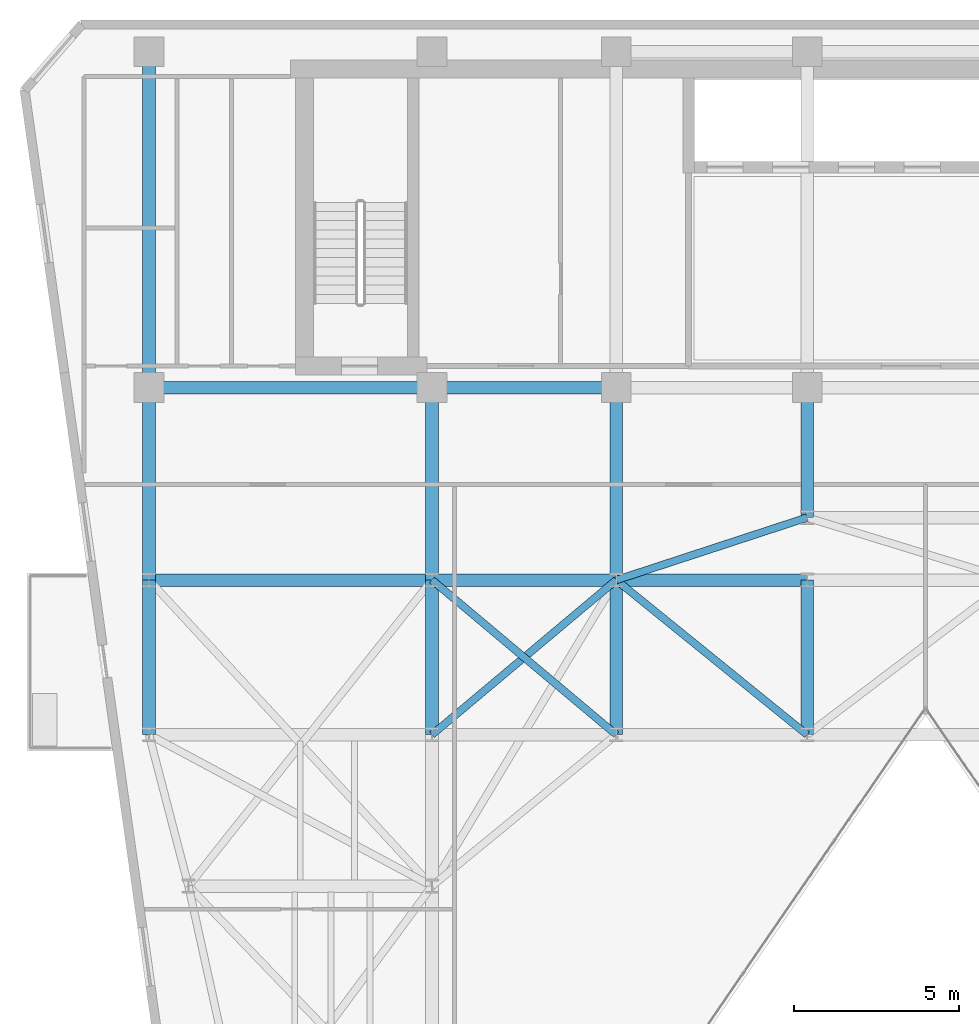
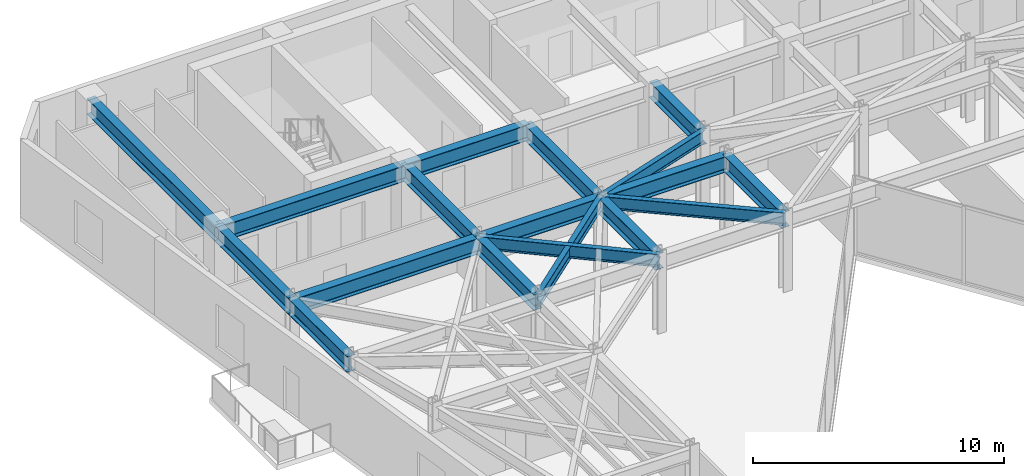
# One storey, part 7 of 21: 18 beams.
"""IFC4 building model written with IfcOpenShell, lengths in metres."""

import ifcopenshell
import ifcopenshell.guid

model = None  # the IFC model being written
_history = None  # IfcOwnerHistory: only IFC2X3 demands one
_inside = {}  # id of a spatial element -> (the spatial element, [elements in it])
_under = {}  # id of a project, library or spatial element -> (it, [spatial elements below it])
_declared = {}  # id of a project -> (the project, [libraries it declares])
_typed = {}  # id of a type object -> (the type object, [elements of that type])
_made_of = {}  # id of a material, layer set ... -> (it, [elements and type objects made of it])


def new_model(schema):
    """Start an empty IFC model of exactly this schema.

    Asked for "IFC4X3", IfcOpenShell would pick the latest addendum, in which some entities
    have other attributes; the version numbers below select the first issue.
    IFC2X3 requires an IfcOwnerHistory on every rooted entity: one is made here for all.
    """
    global model, _history
    if schema == "IFC4X3":
        model = ifcopenshell.file(schema_version=(4, 3, 0, 0))
    else:
        model = ifcopenshell.file(schema=schema)
    _inside.clear()
    _under.clear()
    _declared.clear()
    _typed.clear()
    _made_of.clear()
    _history = None
    if model.schema == "IFC2X3":
        org = make("IfcOrganization", Name="unknown")
        user = make(
            "IfcPersonAndOrganization",
            ThePerson=make("IfcPerson", FamilyName="unknown"),
            TheOrganization=org,
        )
        app = make(
            "IfcApplication",
            ApplicationDeveloper=org,
            Version="unknown",
            ApplicationFullName="unknown",
            ApplicationIdentifier="unknown",
        )
        _history = make(
            "IfcOwnerHistory",
            OwningUser=user,
            OwningApplication=app,
            ChangeAction="ADDED",
            CreationDate=0,
        )
    return model


def make(cls, **values):
    """One entity of the class cls with the attributes given. An attribute that is None is left unset."""
    return model.create_entity(
        cls, **{name: value for name, value in values.items() if value is not None}
    )


def rooted(cls, **values):
    """An entity with a GlobalId (a new one), such as an element, a storey or a relation."""
    return make(cls, GlobalId=ifcopenshell.guid.new(), OwnerHistory=_history, **values)


def si_unit(unit_type, name, prefix=None):
    """IfcSIUnit, for example si_unit("LENGTHUNIT", "METRE", prefix="MILLI")."""
    return make("IfcSIUnit", UnitType=unit_type, Prefix=prefix, Name=name)


def assignment(units):
    """IfcUnitAssignment: the units of a project."""
    return None if units is None else make("IfcUnitAssignment", Units=units)


def point(xyz):
    """IfcCartesianPoint."""
    return None if xyz is None else make("IfcCartesianPoint", Coordinates=xyz)


def direction(xyz):
    """IfcDirection."""
    return None if xyz is None else make("IfcDirection", DirectionRatios=xyz)


def frame(location, z_axis=None, x_axis=None):
    """IfcAxis2Placement3D, a coordinate frame: its origin and axes. An axis left out is left unset."""
    return make(
        "IfcAxis2Placement3D",
        Location=point(location),
        Axis=direction(z_axis),
        RefDirection=direction(x_axis),
    )


def frame_2d(location, x_axis=None):
    """IfcAxis2Placement2D, a coordinate frame in the plane: its origin and x axis."""
    return make(
        "IfcAxis2Placement2D", Location=point(location), RefDirection=direction(x_axis)
    )


def origin():
    """The frame at (0, 0, 0) with its axes left unset."""
    return frame((0.0, 0.0, 0.0))


def origin_2d():
    """The frame at (0, 0) in the plane with its x axis left unset."""
    return frame_2d((0.0, 0.0))


def place(relative_to, where):
    """IfcLocalPlacement: puts the frame where relative to a parent placement (None: the world)."""
    return make(
        "IfcLocalPlacement", PlacementRelTo=relative_to, RelativePlacement=where
    )


def context(
    kind, dimensions, precision=None, world=None, true_north=None, identifier=None
):
    """IfcGeometricRepresentationContext, for example the 3D "Model" context."""
    return make(
        "IfcGeometricRepresentationContext",
        ContextIdentifier=identifier,
        ContextType=kind,
        CoordinateSpaceDimension=dimensions,
        Precision=precision,
        WorldCoordinateSystem=world,
        TrueNorth=true_north,
    )


def subcontext(parent, identifier, kind, view, scale=None):
    """IfcGeometricRepresentationSubContext, for example "Body" below "Model"."""
    return make(
        "IfcGeometricRepresentationSubContext",
        ContextIdentifier=identifier,
        ContextType=kind,
        ParentContext=parent,
        TargetScale=scale,
        TargetView=view,
    )


def project(units=None, contexts=None):
    """IfcProject with its units and contexts."""
    return rooted(
        "IfcProject",
        Name="project",
        RepresentationContexts=contexts,
        UnitsInContext=assignment(units),
    )


def spatial(cls, under=None, at=None, **own):
    """A site, building, storey or space (cls), placed at a placement, below another one or the project."""
    s = rooted(cls, ObjectPlacement=at, **own)
    if under is not None:
        _under.setdefault(under.id(), (under, []))[1].append(s)
    return s


def profile(cls, at=None, kind="AREA", **sizes):
    """A parametric profile (cls). Its sizes go by their IFC names, for example OverallWidth=200.0."""
    return make(cls, ProfileType=kind, Position=at, **sizes)


def i_section(**sizes):
    """IfcIShapeProfileDef."""
    return profile("IfcIShapeProfileDef", **sizes)


def extrude(swept, where, along, depth):
    """IfcExtrudedAreaSolid: the profile swept, set in the frame where, extruded along a direction by depth."""
    return make(
        "IfcExtrudedAreaSolid",
        SweptArea=swept,
        Position=where,
        ExtrudedDirection=direction(along),
        Depth=depth,
    )


def shape(context_of_items, identifier, shape_type, items):
    """IfcShapeRepresentation: the items that make up one representation, for example the "Body"."""
    return make(
        "IfcShapeRepresentation",
        ContextOfItems=context_of_items,
        RepresentationIdentifier=identifier,
        RepresentationType=shape_type,
        Items=items,
    )


def material(Name=None, Category=None):
    """IfcMaterial."""
    return make("IfcMaterial", Name=Name, Category=Category)


def material_profile(
    of_material, cross_section, Name=None, Category=None, Priority=None
):
    """IfcMaterialProfile: a cross section and its material."""
    return make(
        "IfcMaterialProfile",
        Name=Name,
        Material=of_material,
        Profile=cross_section,
        Priority=Priority,
        Category=Category,
    )


def profile_set(profiles, Name=None, composite=None):
    """IfcMaterialProfileSet."""
    return make(
        "IfcMaterialProfileSet",
        Name=Name,
        MaterialProfiles=profiles,
        CompositeProfile=composite,
    )


def made_of(thing, what):
    """Note that an element or type object is made of a material, layer set ...; save() writes the relation."""
    if what is not None:
        _made_of.setdefault(what.id(), (what, []))[1].append(thing)
    return thing


def type_object(cls, material=None, **own):
    """A type object (cls), such as IfcWallType, which elements share."""
    return made_of(rooted(cls, **own), material)


def element(
    cls,
    number,
    at=None,
    inside=None,
    cuts=None,
    type_object=None,
    material=None,
    context=None,
    identifier="Body",
    shape_type=None,
    held_by="IfcProductDefinitionShape",
    body=None,
    shapes=None,
    **own,
):
    """One element of the class cls, such as IfcWall. Its Tag is "e" and its number.

    at: its placement. inside: the storey or other place that contains it. cuts: it is an
    opening in that element (IfcRelVoidsElement). A single representation is given by context,
    identifier, shape_type and body (its items); several are given by shapes. held_by: the class
    of the entity that holds the representations. save() writes the other relations.
    """
    e = rooted(cls, Tag="e%d" % number, ObjectPlacement=at, **own)
    if body is not None:
        shapes = [shape(context, identifier, shape_type, body)]
    if shapes is not None:
        e.Representation = make(held_by, Representations=shapes)
    if inside is not None:
        _inside.setdefault(inside.id(), (inside, []))[1].append(e)
    if cuts is not None:
        rooted(
            "IfcRelVoidsElement", RelatingBuildingElement=cuts, RelatedOpeningElement=e
        )
    if type_object is not None:
        _typed.setdefault(type_object.id(), (type_object, []))[1].append(e)
    return made_of(e, material)


def aggregate(whole, parts):
    """IfcRelAggregates: a whole, such as a stair, and the parts it consists of."""
    return rooted("IfcRelAggregates", RelatingObject=whole, RelatedObjects=parts)


def save(model, path):
    """Write the relations noted so far, then the file.

    IfcRelAggregates (storeys below a building ...), IfcRelContainedInSpatialStructure (elements
    in a storey), IfcRelDefinesByType, IfcRelAssociatesMaterial and IfcRelDeclares: one each for
    every whole, place, type object, material and project.
    """
    for whole, parts in _under.values():
        aggregate(whole, parts)
    for where, things in _inside.values():
        rooted(
            "IfcRelContainedInSpatialStructure",
            RelatedElements=things,
            RelatingStructure=where,
        )
    for kind, things in _typed.values():
        rooted("IfcRelDefinesByType", RelatedObjects=things, RelatingType=kind)
    for what, things in _made_of.values():
        rooted("IfcRelAssociatesMaterial", RelatedObjects=things, RelatingMaterial=what)
    for by, libraries in _declared.values():
        rooted("IfcRelDeclares", RelatingContext=by, RelatedDefinitions=libraries)
    model.write(path)


model = new_model("IFC4")

# Units and contexts
model_context = context("Model", 3, precision=1e-05, world=origin(), true_north=direction((0.0, 1.0)))
body_context = subcontext(model_context, "Body", "Model", "MODEL_VIEW")
ifc_project = project(units=[si_unit("LENGTHUNIT", "METRE"), si_unit("AREAUNIT", "SQUARE_METRE"), si_unit("VOLUMEUNIT", "CUBIC_METRE"), si_unit("PLANEANGLEUNIT", "RADIAN"), si_unit("MASSUNIT", "GRAM", prefix="KILO")], contexts=[model_context])

# Site, building, storey
site_placement = place(None, origin())
site = spatial("IfcSite", under=ifc_project, at=site_placement, CompositionType="ELEMENT")
building_placement = place(site_placement, origin())
building = spatial("IfcBuilding", under=site, at=building_placement, Name="Kravanh Interchange Tower", CompositionType="ELEMENT")
storey_placement = place(building_placement, frame((0.0, 0.0, 176.5)))
storey = spatial("IfcBuildingStorey", under=building, at=storey_placement, Name="L42", CompositionType="ELEMENT", Elevation=176.5)

# Beams
ifc_material_1 = material(Name="Structural Steel S355", Category="steel")
ifc_material_profile_1 = material_profile(ifc_material_1, i_section(OverallWidth=0.381103515625, OverallDepth=0.77294921875, WebThickness=0.0166015625, FlangeThickness=0.027099609375, FilletRadius=0.02490234375, at=origin_2d()), Name="W30X173")
ifc_profile_set_1 = profile_set([ifc_material_profile_1], Name="Structural Steel S355")
beam_type_1 = type_object("IfcBeamType", Name="Floor Beam W30X173 Structural Steel S355", PredefinedType="BEAM", material=ifc_profile_set_1)
beam_1_placement = place(storey_placement, frame((38.60009765625, 37.35009765625, 3.368408203125), z_axis=(0.0, -1.0, 0.0), x_axis=(1.0, 0.0, 0.0)))
element("IfcBeam", 1, at=beam_1_placement, inside=storey, type_object=beam_type_1, Name="L42 Primary Floor Girder 16", PredefinedType="BEAM", context=body_context, shape_type="SweptSolid", body=[
    extrude(i_section(OverallWidth=0.381103515625, OverallDepth=0.77294921875, WebThickness=0.0166015625, FlangeThickness=0.027099609375, FilletRadius=0.02490234375, at=origin_2d()), origin(), (0.0, 0.0, 1.0), 3.9501953125),
])
beam_2_placement = place(storey_placement, frame((32.800048828125, 37.35009765625, 3.368408203125), z_axis=(-1.0, 0.0, 0.0), x_axis=(0.0, -1.0, 0.0)))
element("IfcBeam", 2, at=beam_2_placement, inside=storey, type_object=beam_type_1, Name="L42 Primary Floor Girder 20", PredefinedType="BEAM", context=body_context, shape_type="SweptSolid", body=[
    extrude(i_section(OverallWidth=0.381103515625, OverallDepth=0.77294921875, WebThickness=0.0166015625, FlangeThickness=0.027099609375, FilletRadius=0.02490234375, at=origin_2d()), origin(), (0.0, 0.0, 1.0), 5.60009765625),
])
for number, where, z_axis, x_axis, name in (
    (3, (32.800048828125, 37.35009765625, 3.368408203125), (0.0, -1.0, 0.0), (1.0, 0.0, 0.0), "L42 Primary Floor Girder 21"),
    (4, (27.199951171875, 37.35009765625, 3.368408203125), (0.0, -1.0, 0.0), (1.0, 0.0, 0.0), "L42 Primary Floor Girder 24"),
):
    element("IfcBeam", number, at=place(storey_placement, frame(where, z_axis=z_axis, x_axis=x_axis)), inside=storey, type_object=beam_type_1, Name=name, PredefinedType="BEAM", context=body_context, shape_type="SweptSolid", body=[
        extrude(i_section(OverallWidth=0.381103515625, OverallDepth=0.77294921875, WebThickness=0.0166015625, FlangeThickness=0.027099609375, FilletRadius=0.02490234375, at=origin_2d()), origin(), (0.0, 0.0, 1.0), 5.85009765625),
    ])
beam_3_placement = place(storey_placement, frame((27.199951171875, 37.35009765625, 3.368408203125), z_axis=(-1.0, 0.0, 0.0), x_axis=(0.0, -1.0, 0.0)))
element("IfcBeam", 5, at=beam_3_placement, inside=storey, type_object=beam_type_1, Name="L42 Primary Floor Girder 25", PredefinedType="BEAM", context=body_context, shape_type="SweptSolid", body=[
    extrude(i_section(OverallWidth=0.381103515625, OverallDepth=0.77294921875, WebThickness=0.0166015625, FlangeThickness=0.027099609375, FilletRadius=0.02490234375, at=origin_2d()), origin(), (0.0, 0.0, 1.0), 8.599853515625),
])
beam_4_placement = place(storey_placement, frame((18.60009765625, 37.35009765625, 3.368408203125), z_axis=(0.0, -1.0, 0.0), x_axis=(1.0, 0.0, 0.0)))
element("IfcBeam", 6, at=beam_4_placement, inside=storey, type_object=beam_type_1, Name="L42 Primary Floor Girder 28", PredefinedType="BEAM", context=body_context, shape_type="SweptSolid", body=[
    extrude(i_section(OverallWidth=0.381103515625, OverallDepth=0.77294921875, WebThickness=0.0166015625, FlangeThickness=0.027099609375, FilletRadius=0.02490234375, at=origin_2d()), origin(), (0.0, 0.0, 1.0), 5.85009765625),
])
beam_5_placement = place(storey_placement, frame((18.60009765625, 37.35009765625, 3.368408203125), z_axis=(0.0, 1.0, 0.0), x_axis=(-1.0, 0.0, 0.0)))
element("IfcBeam", 7, at=beam_5_placement, inside=storey, type_object=beam_type_1, Name="L42 Primary Floor Girder 29", PredefinedType="BEAM", context=body_context, shape_type="SweptSolid", body=[
    extrude(i_section(OverallWidth=0.381103515625, OverallDepth=0.77294921875, WebThickness=0.0166015625, FlangeThickness=0.027099609375, FilletRadius=0.02490234375, at=origin_2d()), origin(), (0.0, 0.0, 1.0), 10.199951171875),
])
for number, where, z_axis, x_axis, name in (
    (8, (18.60009765625, 26.800048828125, 3.368408203125), (0.0, 1.0, 0.0), (-1.0, 0.0, 0.0), "L42 Primary Floor Girder 33"),
    (9, (27.199951171875, 26.800048828125, 3.368408203125), (0.0, 1.0, 0.0), (-1.0, 0.0, 0.0), "L42 Primary Floor Girder 38"),
    (10, (32.800048828125, 26.800048828125, 3.368408203125), (0.0, 1.0, 0.0), (-1.0, 0.0, 0.0), "L42 Primary Floor Girder 41"),
    (11, (38.60009765625, 26.800048828125, 3.368408203125), (0.0, 1.0, 0.0), (-1.0, 0.0, 0.0), "L42 Primary Floor Girder 45"),
):
    element("IfcBeam", number, at=place(storey_placement, frame(where, z_axis=z_axis, x_axis=x_axis)), inside=storey, type_object=beam_type_1, Name=name, PredefinedType="BEAM", context=body_context, shape_type="SweptSolid", body=[
        extrude(i_section(OverallWidth=0.381103515625, OverallDepth=0.77294921875, WebThickness=0.0166015625, FlangeThickness=0.027099609375, FilletRadius=0.02490234375, at=origin_2d()), origin(), (0.0, 0.0, 1.0), 4.699951171875),
    ])
beam_6_placement = place(storey_placement, frame((18.60009765625, 31.5, 3.368408203125), z_axis=(1.0, 0.0, 0.0), x_axis=(0.0, 1.0, 0.0)))
element("IfcBeam", 12, at=beam_6_placement, inside=storey, type_object=beam_type_1, Name="L42 Primary Floor Girder 61", PredefinedType="BEAM", context=body_context, shape_type="SweptSolid", body=[
    extrude(i_section(OverallWidth=0.381103515625, OverallDepth=0.77294921875, WebThickness=0.0166015625, FlangeThickness=0.027099609375, FilletRadius=0.02490234375, at=origin_2d()), origin(), (0.0, 0.0, 1.0), 8.599853515625),
])
beam_7_placement = place(storey_placement, frame((27.199951171875, 31.5, 3.368408203125), z_axis=(1.0, 0.0, 0.0), x_axis=(0.0, 1.0, 0.0)))
element("IfcBeam", 13, at=beam_7_placement, inside=storey, type_object=beam_type_1, Name="L42 Primary Floor Girder 64", PredefinedType="BEAM", context=body_context, shape_type="SweptSolid", body=[
    extrude(i_section(OverallWidth=0.381103515625, OverallDepth=0.77294921875, WebThickness=0.0166015625, FlangeThickness=0.027099609375, FilletRadius=0.02490234375, at=origin_2d()), origin(), (0.0, 0.0, 1.0), 5.60009765625),
])
beam_8_placement = place(storey_placement, frame((32.800048828125, 31.5, 3.368408203125), z_axis=(1.0, 0.0, 0.0), x_axis=(0.0, 1.0, 0.0)))
element("IfcBeam", 14, at=beam_8_placement, inside=storey, type_object=beam_type_1, Name="L42 Primary Floor Girder 67", PredefinedType="BEAM", context=body_context, shape_type="SweptSolid", body=[
    extrude(i_section(OverallWidth=0.381103515625, OverallDepth=0.77294921875, WebThickness=0.0166015625, FlangeThickness=0.027099609375, FilletRadius=0.02490234375, at=origin_2d()), origin(), (0.0, 0.0, 1.0), 5.800048828125),
])
ifc_material_2 = material(Name="Structural Steel S355", Category="steel")
ifc_material_profile_2 = material_profile(ifc_material_2, i_section(OverallWidth=0.22802734375, OverallDepth=0.60791015625, WebThickness=0.01123046875, FlangeThickness=0.017333984375, FilletRadius=0.02197265625, at=origin_2d()), Name="W24X76")
ifc_profile_set_2 = profile_set([ifc_material_profile_2], Name="Structural Steel S355")
beam_type_2 = type_object("IfcBeamType", Name="Floor Spandrel W24X76 Structural Steel S355", PredefinedType="SPANDREL", material=ifc_profile_set_2)
for number, where, z_axis, x_axis, name in (
    (15, (27.199951171875, 26.800048828125, 3.450927734375), (0.765983062929, 0.642860752657, 0.0), (-0.642860752657, 0.765983062929, 0.0), "L42 Perimeter Spandrel 40"),
    (16, (32.800048828125, 26.800048828125, 3.450927734375), (-0.765983062929, 0.642860752657, 0.0), (-0.642860752657, -0.765983062929, 0.0), "L42 Perimeter Spandrel 44"),
):
    element("IfcBeam", number, at=place(storey_placement, frame(where, z_axis=z_axis, x_axis=x_axis)), inside=storey, type_object=beam_type_2, Name=name, PredefinedType="SPANDREL", context=body_context, shape_type="SweptSolid", body=[
        extrude(i_section(OverallWidth=0.22802734375, OverallDepth=0.60791015625, WebThickness=0.01123046875, FlangeThickness=0.017333984375, FilletRadius=0.02197265625, at=origin_2d()), origin(), (0.0, 0.0, 1.0), 7.31103515625),
    ])
beam_9_placement = place(storey_placement, frame((38.60009765625, 26.800048828125, 3.450927734375), z_axis=(-0.776938619557, 0.629576350764, 0.0), x_axis=(-0.629576350764, -0.776938619557, 0.0)))
element("IfcBeam", 17, at=beam_9_placement, inside=storey, type_object=beam_type_2, Name="L42 Perimeter Spandrel 46", PredefinedType="SPANDREL", context=body_context, shape_type="SweptSolid", body=[
    extrude(i_section(OverallWidth=0.22802734375, OverallDepth=0.60791015625, WebThickness=0.01123046875, FlangeThickness=0.017333984375, FilletRadius=0.02197265625, at=origin_2d()), origin(), (0.0, 0.0, 1.0), 7.46533203125),
])
beam_10_placement = place(storey_placement, frame((32.800048828125, 31.5, 3.450927734375), z_axis=(0.950314536578, 0.31129131303, 0.0), x_axis=(-0.31129131303, 0.950314536578, 0.0)))
element("IfcBeam", 18, at=beam_10_placement, inside=storey, type_object=beam_type_2, Name="L42 Perimeter Spandrel 68", PredefinedType="SPANDREL", context=body_context, shape_type="SweptSolid", body=[
    extrude(i_section(OverallWidth=0.22802734375, OverallDepth=0.60791015625, WebThickness=0.01123046875, FlangeThickness=0.017333984375, FilletRadius=0.02197265625, at=origin_2d()), origin(), (0.0, 0.0, 1.0), 6.103271484375),
])

save(model, "model.ifc")
